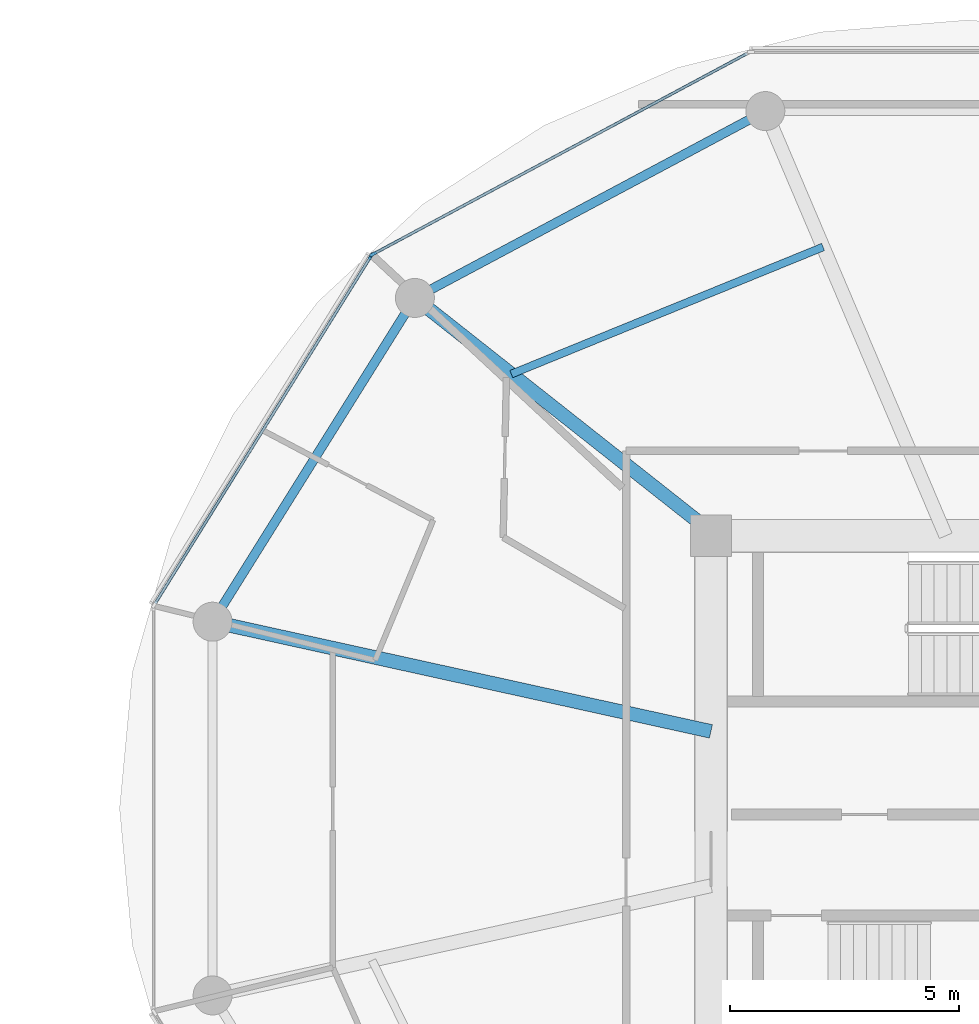
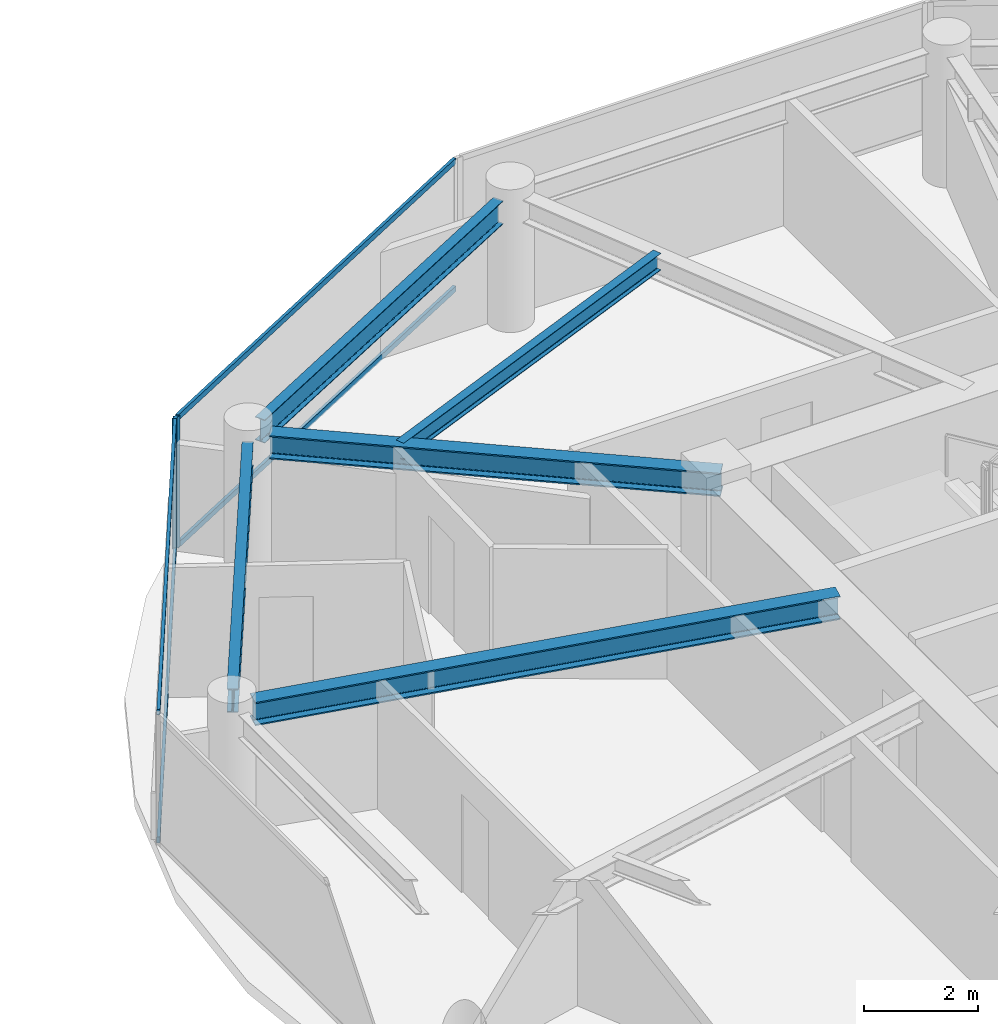
# One storey, part 8 of 23: 6 members, 5 beams, 2 elements without a shape of their own.
"""IFC4 building model written with IfcOpenShell, lengths in metres."""

from ifc_helpers import new_model, si_unit, direction, frame, origin, origin_2d, place, context, subcontext, project, spatial, rectangle, i_section, extrude, source, transform, mapped, material, layer, layer_set, material_profile, profile_set, type_object, type_shapes, element, aggregate, save


model = new_model("IFC4")

# Units and contexts
model_context = context("Model", 3, precision=1e-05, world=origin(), true_north=direction((0.0, 1.0)))
body_context = subcontext(model_context, "Body", "Model", "MODEL_VIEW")
ifc_project = project(units=[si_unit("LENGTHUNIT", "METRE"), si_unit("AREAUNIT", "SQUARE_METRE"), si_unit("VOLUMEUNIT", "CUBIC_METRE"), si_unit("PLANEANGLEUNIT", "RADIAN"), si_unit("MASSUNIT", "GRAM", prefix="KILO")], contexts=[model_context])

# Site, building, storey
site_placement = place(None, origin())
site = spatial("IfcSite", under=ifc_project, at=site_placement, CompositionType="ELEMENT")
building_placement = place(site_placement, origin())
building = spatial("IfcBuilding", under=site, at=building_placement, Name="Norrkilde Senior Care Towers", CompositionType="ELEMENT")
storey_placement = place(building_placement, frame((0.0, 0.0, 93.199951171875)))
storey = spatial("IfcBuildingStorey", under=building, at=storey_placement, Name="L28", CompositionType="ELEMENT", Elevation=93.199951171875)

# Beams
ifc_material_1 = material(Name="Steel S355", Category="steel")
ifc_material_profile_1 = material_profile(ifc_material_1, i_section(OverallWidth=0.199951171875, OverallDepth=0.5, WebThickness=0.01025390625, FlangeThickness=0.01611328125, FilletRadius=0.02099609375, at=origin_2d()), Name="IPE 500")
ifc_profile_set_1 = profile_set([ifc_material_profile_1], Name="Steel S355")
beam_type_1 = type_object("IfcBeamType", Name="Perimeter Ring Spandrel Z2 IPE500", PredefinedType="SPANDREL", material=ifc_profile_set_1)
shared_shape_1 = source(origin(), body_context, "Body", "SweptSolid", [
    extrude(i_section(OverallWidth=0.199951171875, OverallDepth=0.5, WebThickness=0.01025390625, FlangeThickness=0.01611328125, FilletRadius=0.02099609375, at=origin_2d()), origin(), (0.0, 0.0, 1.0), 7.55615234375),
])
beam_1_placement = place(storey_placement, frame((13.689697265625, 10.810546875, 2.5400390625), z_axis=(-0.529981514254, -0.848009194849, 0.0), x_axis=(0.848009194849, -0.529981514254, 0.0)))
element("IfcBeam", 1, at=beam_1_placement, inside=storey, type_object=beam_type_1, Name="L28 Drum E Perimeter Spandrel 05", PredefinedType="SPANDREL", context=body_context, shape_type="MappedRepresentation", body=[
    mapped(shared_shape_1, transform((0.0, 0.0, 0.0), x_axis=(1.0, 0.0, 0.0), y_axis=(0.0, 1.0, 0.0), z_axis=(0.0, 0.0, 1.0), scale=1.0)),
])
ifc_material_profile_2 = material_profile(ifc_material_1, i_section(OverallWidth=0.300048828125, OverallDepth=0.5, WebThickness=0.014404296875, FlangeThickness=0.028076171875, FilletRadius=0.027099609375, at=origin_2d()), Name="HEB 500")
ifc_profile_set_2 = profile_set([ifc_material_profile_2], Name="Steel S355")
beam_type_2 = type_object("IfcBeamType", Name="Radial Floor Beam Z2 HEB500", PredefinedType="BEAM", material=ifc_profile_set_2)
shared_shape_2 = source(origin(), body_context, "Body", "SweptSolid", [
    extrude(i_section(OverallWidth=0.300048828125, OverallDepth=0.5, WebThickness=0.014404296875, FlangeThickness=0.028076171875, FilletRadius=0.027099609375, at=origin_2d()), origin(), (0.0, 0.0, 1.0), 10.744384765625),
])
beam_2_placement = place(storey_placement, frame((20.35009765625, 1.683837890625, 2.5400390625), z_axis=(-0.976618711422, 0.214978818724, 0.0), x_axis=(-0.214978818724, -0.976618711422, 0.0)))
element("IfcBeam", 2, at=beam_2_placement, inside=storey, type_object=beam_type_2, Name="L28 Drum E Radial Floor Beam 06", PredefinedType="BEAM", context=body_context, shape_type="MappedRepresentation", body=[
    mapped(shared_shape_2, transform((0.0, 0.0, 0.0), x_axis=(1.0, 0.0, 0.0), y_axis=(0.0, 1.0, 0.0), z_axis=(0.0, 0.0, 1.0), scale=1.0)),
])
shared_shape_3 = source(origin(), body_context, "Body", "SweptSolid", [
    extrude(i_section(OverallWidth=0.199951171875, OverallDepth=0.5, WebThickness=0.01025390625, FlangeThickness=0.01611328125, FilletRadius=0.02099609375, at=origin_2d()), origin(), (0.0, 0.0, 1.0), 7.892333984375),
])
type_shapes(beam_type_1, [shared_shape_1, shared_shape_3])
beam_3_placement = place(storey_placement, frame((21.197509765625, 15.0322265625, 2.5400390625), z_axis=(-0.882350372282, -0.47059305194, 0.0), x_axis=(0.47059305194, -0.882350372282, 0.0)))
element("IfcBeam", 3, at=beam_3_placement, inside=storey, type_object=beam_type_1, Name="L28 Drum E Perimeter Spandrel 04", PredefinedType="SPANDREL", context=body_context, shape_type="MappedRepresentation", body=[
    mapped(shared_shape_3, transform((0.0, 0.0, 0.0), x_axis=(1.0, 0.0, 0.0), y_axis=(0.0, 1.0, 0.0), z_axis=(0.0, 0.0, 1.0), scale=1.0)),
])
shared_shape_4 = source(origin(), body_context, "Body", "SweptSolid", [
    extrude(i_section(OverallWidth=0.300048828125, OverallDepth=0.5, WebThickness=0.014404296875, FlangeThickness=0.028076171875, FilletRadius=0.027099609375, at=origin_2d()), origin(), (0.0, 0.0, 1.0), 7.985595703125),
])
type_shapes(beam_type_2, [shared_shape_2, shared_shape_4])
beam_4_placement = place(storey_placement, frame((20.463623046875, 5.949951171875, 2.5400390625), z_axis=(-0.784858505144, 0.619675017169, 0.0), x_axis=(-0.619675017169, -0.784858505144, 0.0)))
element("IfcBeam", 4, at=beam_4_placement, inside=storey, type_object=beam_type_2, Name="L28 Drum E Radial Floor Beam 05", PredefinedType="BEAM", context=body_context, shape_type="MappedRepresentation", body=[
    mapped(shared_shape_4, transform((0.0, 0.0, 0.0), x_axis=(1.0, 0.0, 0.0), y_axis=(0.0, 1.0, 0.0), z_axis=(0.0, 0.0, 1.0), scale=1.0)),
])
ifc_material_profile_3 = material_profile(ifc_material_1, i_section(OverallWidth=0.169921875, OverallDepth=0.360107421875, WebThickness=0.008056640625, FlangeThickness=0.0126953125, FilletRadius=0.01806640625, at=origin_2d()), Name="IPE 360")
ifc_profile_set_3 = profile_set([ifc_material_profile_3], Name="Steel S355")
beam_type_3 = type_object("IfcBeamType", Name="Secondary Floor Joist IPE360", PredefinedType="JOIST", material=ifc_profile_set_3)
shared_shape_5 = source(origin(), body_context, "Body", "SweptSolid", [
    extrude(i_section(OverallWidth=0.169921875, OverallDepth=0.360107421875, WebThickness=0.008056640625, FlangeThickness=0.0126953125, FilletRadius=0.01806640625, at=origin_2d()), origin(), (0.0, 0.0, 1.0), 7.343505859375),
])
type_shapes(beam_type_3, [shared_shape_5])
beam_5_placement = place(storey_placement, frame((22.79638671875, 12.2490234375, 2.610107421875), z_axis=(-0.926021784767, -0.377470070519, 0.0), x_axis=(0.377470070519, -0.926021784767, 0.0)))
element("IfcBeam", 5, at=beam_5_placement, inside=storey, type_object=beam_type_3, Name="L28 Drum E Secondary Floor Joist 2", PredefinedType="JOIST", context=body_context, shape_type="MappedRepresentation", body=[
    mapped(shared_shape_5, transform((0.0, 0.0, 0.0), x_axis=(1.0, 0.0, 0.0), y_axis=(0.0, 1.0, 0.0), z_axis=(0.0, 0.0, 1.0), scale=1.0)),
])

# Curtain wall, member
ifc_material_2 = material(Name="Triple Low-E Insulated Glazing", Category="glass")
ifc_layer = layer(ifc_material_2, 0.195068359375)
ifc_layer_set = layer_set([ifc_layer], Name="Triple Low-E Insulated Glazing")
curtain_wall_type = type_object("IfcCurtainWallType", Name="CW3 Zone 2 Assisted Living Curtain Wall", PredefinedType="NOTDEFINED", material=ifc_layer_set)
curtain_wall_1_placement = place(storey_placement, origin())
curtain_wall_1 = element("IfcCurtainWall", 6, at=curtain_wall_1_placement, inside=storey, type_object=curtain_wall_type, Name="L28 Drum E Curtain Wall 03", PredefinedType="NOTDEFINED")
ifc_material_3 = material(Name="Anodised Aluminium", Category="aluminium")
ifc_material_profile_4 = material_profile(ifc_material_3, rectangle(XDim=0.06494140625, YDim=0.159912109375, at=origin_2d()), Name="ALU MULL 65x160")
ifc_profile_set_4 = profile_set([ifc_material_profile_4], Name="Anodised Aluminium")
member_type_1 = type_object("IfcMemberType", Name="Curtain Wall Mullion Z1-Z2 65x160", PredefinedType="MULLION", material=ifc_profile_set_4)
shared_shape_6 = source(origin(), body_context, "Body", "SweptSolid", [
    extrude(rectangle(XDim=0.06494140625, YDim=0.159912109375, at=origin_2d()), origin(), (0.0, 0.0, 1.0), 2.7900390625),
])
type_shapes(member_type_1, [shared_shape_6])
member_1_placement = place(storey_placement, frame((12.98193359375, 12.0927734375, 0.0), z_axis=(0.0, 0.0, 1.0), x_axis=(-0.472769402511, 0.881186184668, 0.0)))
member_1 = element("IfcMember", 7, at=member_1_placement, type_object=member_type_1, Name="CW-3 mullion 1", PredefinedType="MULLION", context=body_context, shape_type="MappedRepresentation", body=[
    mapped(shared_shape_6, transform((0.0, 0.0, 0.0), x_axis=(1.0, 0.0, 0.0), y_axis=(0.0, 1.0, 0.0), z_axis=(0.0, 0.0, 1.0), scale=1.0)),
])

# Curtain wall, members
curtain_wall_2_placement = place(storey_placement, origin())
curtain_wall_2 = element("IfcCurtainWall", 8, at=curtain_wall_2_placement, inside=storey, type_object=curtain_wall_type, Name="L28 Drum E Curtain Wall 04", PredefinedType="NOTDEFINED")
member_2_placement = place(storey_placement, frame((12.936279296875, 12.0498046875, 0.0), z_axis=(0.0, 0.0, 1.0), x_axis=(-0.849410171862, 0.527733228002, 0.0)))
member_2 = element("IfcMember", 9, at=member_2_placement, type_object=member_type_1, Name="CW-3 mullion 2", PredefinedType="MULLION", context=body_context, shape_type="MappedRepresentation", body=[
    mapped(shared_shape_6, transform((0.0, 0.0, 0.0), x_axis=(1.0, 0.0, 0.0), y_axis=(0.0, 1.0, 0.0), z_axis=(0.0, 0.0, 1.0), scale=1.0)),
])
ifc_material_profile_5 = material_profile(ifc_material_3, rectangle(XDim=0.06005859375, YDim=0.1201171875, at=origin_2d()), Name="ALU TRAN 60x120")
ifc_profile_set_5 = profile_set([ifc_material_profile_5], Name="Anodised Aluminium")
member_type_2 = type_object("IfcMemberType", Name="Curtain Wall Transom Typical 60x120", PredefinedType="USERDEFINED", material=ifc_profile_set_5)
shared_shape_7 = source(origin(), body_context, "Body", "SweptSolid", [
    extrude(rectangle(XDim=0.06005859375, YDim=0.1201171875, at=origin_2d()), origin(), (0.0, 0.0, 1.0), 8.88427734375),
])
member_3_placement = place(storey_placement, frame((8.23046875, 4.475830078125, 0.030029296875), z_axis=(0.527749293309, 0.849400190377, 0.0), x_axis=(-0.849400190377, 0.527749293309, 0.0)))
member_3 = element("IfcMember", 10, at=member_3_placement, type_object=member_type_2, Name="CW-3 transom 1.1", ObjectType="TRANSOM", PredefinedType="USERDEFINED", context=body_context, shape_type="MappedRepresentation", body=[
    mapped(shared_shape_7, transform((0.0, 0.0, 0.0), x_axis=(1.0, 0.0, 0.0), y_axis=(0.0, 1.0, 0.0), z_axis=(0.0, 0.0, 1.0), scale=1.0)),
])
member_4_placement = place(storey_placement, frame((8.23046875, 4.475830078125, 2.760009765625), z_axis=(0.527749293309, 0.849400190377, 0.0), x_axis=(-0.849400190377, 0.527749293309, 0.0)))
member_4 = element("IfcMember", 11, at=member_4_placement, type_object=member_type_2, Name="CW-3 transom 1.2", ObjectType="TRANSOM", PredefinedType="USERDEFINED", context=body_context, shape_type="MappedRepresentation", body=[
    mapped(shared_shape_7, transform((0.0, 0.0, 0.0), x_axis=(1.0, 0.0, 0.0), y_axis=(0.0, 1.0, 0.0), z_axis=(0.0, 0.0, 1.0), scale=1.0)),
])
aggregate(curtain_wall_2, [member_2, member_3, member_4])

# Member
shared_shape_8 = source(origin(), body_context, "Body", "SweptSolid", [
    extrude(rectangle(XDim=0.06005859375, YDim=0.1201171875, at=origin_2d()), origin(), (0.0, 0.0, 1.0), 9.220458984375),
])
type_shapes(member_type_2, [shared_shape_7, shared_shape_8])
member_5_placement = place(storey_placement, frame((13.0107421875, 12.108154296875, 0.030029296875), z_axis=(0.881188517866, 0.472765053681, 0.0), x_axis=(-0.472765053681, 0.881188517866, 0.0)))
member_5 = element("IfcMember", 12, at=member_5_placement, type_object=member_type_2, Name="CW-3 transom 1.1", ObjectType="TRANSOM", PredefinedType="USERDEFINED", context=body_context, shape_type="MappedRepresentation", body=[
    mapped(shared_shape_8, transform((0.0, 0.0, 0.0), x_axis=(1.0, 0.0, 0.0), y_axis=(0.0, 1.0, 0.0), z_axis=(0.0, 0.0, 1.0), scale=1.0)),
])

member_6_placement = place(storey_placement, frame((13.0107421875, 12.108154296875, 2.760009765625), z_axis=(0.881188517866, 0.472765053681, 0.0), x_axis=(-0.472765053681, 0.881188517866, 0.0)))
member_6 = element("IfcMember", 13, at=member_6_placement, type_object=member_type_2, Name="CW-3 transom 1.2", ObjectType="TRANSOM", PredefinedType="USERDEFINED", context=body_context, shape_type="MappedRepresentation", body=[
    mapped(shared_shape_8, transform((0.0, 0.0, 0.0), x_axis=(1.0, 0.0, 0.0), y_axis=(0.0, 1.0, 0.0), z_axis=(0.0, 0.0, 1.0), scale=1.0)),
])

aggregate(curtain_wall_1, [member_1, member_5, member_6])

save(model, "model.ifc")
